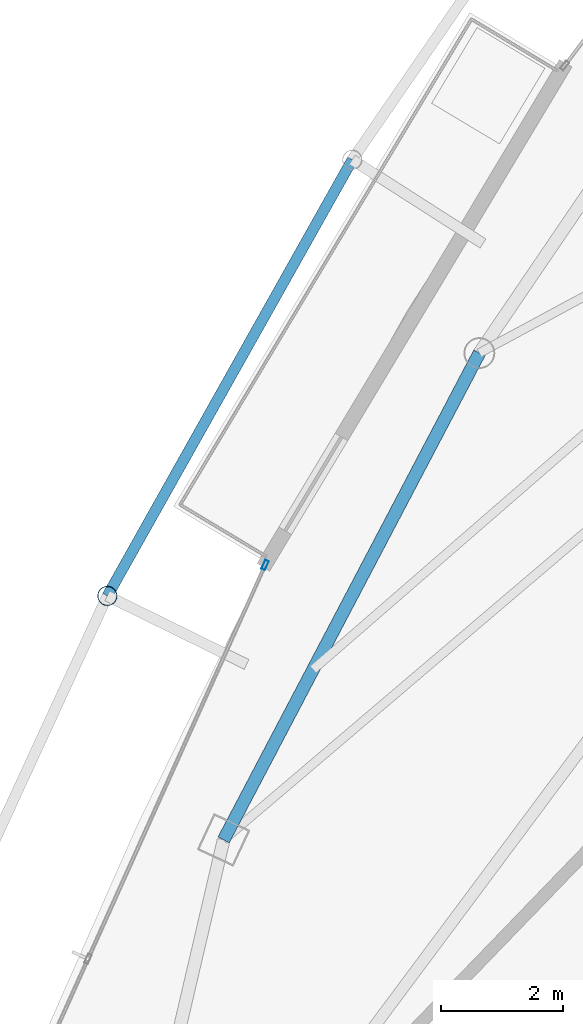
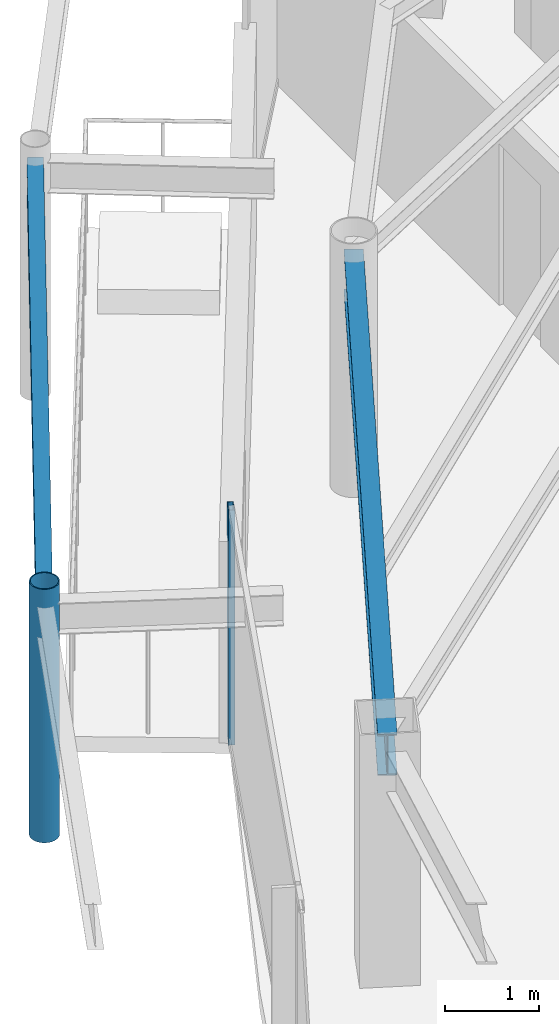
# One storey, part 10 of 28: 2 beams, 2 members, 1 element without a shape of its own.
"""IFC4 building model written with IfcOpenShell, lengths in metres."""

from ifc_helpers import new_model, si_unit, direction, frame, origin, origin_2d, place, context, subcontext, project, spatial, hollow_rectangle, hollow_circle, i_section, extrude, material, layer, layer_set, material_profile, profile_set, type_object, element, aggregate, save


model = new_model("IFC4")

# Units and contexts
model_context = context("Model", 3, precision=1e-05, world=origin(), true_north=direction((0.0, 1.0)))
body_context = subcontext(model_context, "Body", "Model", "MODEL_VIEW")
ifc_project = project(units=[si_unit("LENGTHUNIT", "METRE"), si_unit("AREAUNIT", "SQUARE_METRE"), si_unit("VOLUMEUNIT", "CUBIC_METRE"), si_unit("PLANEANGLEUNIT", "RADIAN"), si_unit("MASSUNIT", "GRAM", prefix="KILO")], contexts=[model_context])

# Site, building, storey
site_placement = place(None, origin())
site = spatial("IfcSite", under=ifc_project, at=site_placement, CompositionType="ELEMENT")
building_placement = place(site_placement, origin())
building = spatial("IfcBuilding", under=site, at=building_placement, Name="Orvanel Arch Residences", CompositionType="ELEMENT")
storey_placement = place(building_placement, frame((0.0, 0.0, 260.14990234375)))
storey = spatial("IfcBuildingStorey", under=building, at=storey_placement, Name="L74", CompositionType="ELEMENT", Elevation=260.14990234375)

# Curtain wall, member
ifc_material_1 = material(Name="Bronze-anodised aluminium AA6063-T6", Category="aluminium")
ifc_layer = layer(ifc_material_1, 0.175048828125)
ifc_layer_set = layer_set([ifc_layer], Name="Bronze-anodised aluminium AA6063-T6")
curtain_wall_type = type_object("IfcCurtainWallType", Name="CW4-HI-SYS", PredefinedType="NOTDEFINED", material=ifc_layer_set)
curtain_wall_placement = place(storey_placement, origin())
curtain_wall = element("IfcCurtainWall", 1, at=curtain_wall_placement, inside=storey, type_object=curtain_wall_type, Name="L74 CW4-HI-SYS Unitised Curtain Wall", PredefinedType="NOTDEFINED")
ifc_material_profile_1 = material_profile(ifc_material_1, hollow_rectangle(XDim=0.06494140625, YDim=0.159912109375, WallThickness=0.00390625, at=origin_2d()), Name="ALU160x65x4")
ifc_profile_set_1 = profile_set([ifc_material_profile_1], Name="Bronze-anodised aluminium AA6063-T6")
member_type_1 = type_object("IfcMemberType", Name="MUL-160x65", PredefinedType="MULLION", material=ifc_profile_set_1)
member_1_placement = place(storey_placement, frame((17.048583984375, 24.158447265625, 0.0), z_axis=(0.0, 0.0, 1.0), x_axis=(0.912050087349, -0.410078819456, 0.0)))
member_1 = element("IfcMember", 2, at=member_1_placement, type_object=member_type_1, Name="CW-S4 mullion 1", PredefinedType="MULLION", context=body_context, shape_type="SweptSolid", body=[
    extrude(hollow_rectangle(XDim=0.06494140625, YDim=0.159912109375, WallThickness=0.00390625, at=origin_2d()), origin(), (0.0, 0.0, 1.0), 3.06005859375),
])
aggregate(curtain_wall, [member_1])

# Beams
ifc_material_2 = material(Name="Structural steel AS/NZS 3679.1 Grade 300 (300 MPa)", Category="steel")
ifc_material_profile_2 = material_profile(ifc_material_2, i_section(OverallWidth=0.177978515625, OverallDepth=0.406005859375, WebThickness=0.0078125, FlangeThickness=0.0126953125, at=origin_2d()), Name="410UB59.7")
ifc_profile_set_2 = profile_set([ifc_material_profile_2], Name="Structural steel AS/NZS 3679.1 Grade 300 (300 MPa)")
beam_type_1 = type_object("IfcBeamType", Name="OB-410UB-EXT", PredefinedType="SPANDREL", material=ifc_profile_set_2)
beam_1_placement = place(storey_placement, frame((18.48095703125, 30.81689453125, 2.857177734375), z_axis=(-0.489617970835, -0.87193706346, 0.0), x_axis=(0.87193706346, -0.489617970835, 0.0)))
element("IfcBeam", 3, at=beam_1_placement, inside=storey, type_object=beam_type_1, Name="L74 Outer Perimeter Floor Ring Beam 02", PredefinedType="SPANDREL", context=body_context, shape_type="SweptSolid", body=[
    extrude(i_section(OverallWidth=0.177978515625, OverallDepth=0.406005859375, WebThickness=0.0078125, FlangeThickness=0.0126953125, at=origin_2d()), origin(), (0.0, 0.0, 1.0), 8.218505859375),
])
ifc_material_profile_3 = material_profile(ifc_material_2, i_section(OverallWidth=0.208984375, OverallDepth=0.532958984375, WebThickness=0.01025390625, FlangeThickness=0.015625, at=origin_2d()), Name="530UB92.4")
ifc_profile_set_3 = profile_set([ifc_material_profile_3], Name="Structural steel AS/NZS 3679.1 Grade 300 (300 MPa)")
beam_type_2 = type_object("IfcBeamType", Name="SP-530UB", PredefinedType="SPANDREL", material=ifc_profile_set_3)
beam_2_placement = place(storey_placement, frame((20.569091796875, 27.64111328125, 2.793212890625), z_axis=(-0.465064762793, -0.885276660942, 0.0), x_axis=(0.885276660942, -0.465064762793, 0.0)))
element("IfcBeam", 4, at=beam_2_placement, inside=storey, type_object=beam_type_2, Name="L74 Perimeter Spandrel Beam 12", PredefinedType="SPANDREL", context=body_context, shape_type="SweptSolid", body=[
    extrude(i_section(OverallWidth=0.208984375, OverallDepth=0.532958984375, WebThickness=0.01025390625, FlangeThickness=0.015625, at=origin_2d()), origin(), (0.0, 0.0, 1.0), 9.03564453125),
])

# Member
ifc_material_3 = material(Name="Structural steel AS/NZS 1163 C350L0 (Grade 350)", Category="steel")
ifc_material_profile_4 = material_profile(ifc_material_3, hollow_circle(Radius=0.162109375, WallThickness=0.0126953125, at=origin_2d()), Name="CHS324x12.7")
ifc_profile_set_4 = profile_set([ifc_material_profile_4], Name="Structural steel AS/NZS 1163 C350L0 (Grade 350)")
member_type_2 = type_object("IfcMemberType", Name="ST-324CHS-EXT", PredefinedType="STRUT", material=ifc_profile_set_4)
member_2_placement = place(storey_placement, frame((14.45703125, 23.65087890625, 0.0), z_axis=(0.0, 0.0, 1.0), x_axis=(1.0, 0.0, 0.0)))
element("IfcMember", 5, at=member_2_placement, inside=storey, type_object=member_type_2, Name="L74 Outer Perimeter Frame Post 03", PredefinedType="STRUT", context=body_context, shape_type="SweptSolid", body=[
    extrude(hollow_circle(Radius=0.162109375, WallThickness=0.0126953125, at=origin_2d()), origin(), (0.0, 0.0, 1.0), 3.300048828125),
])

save(model, "model.ifc")
